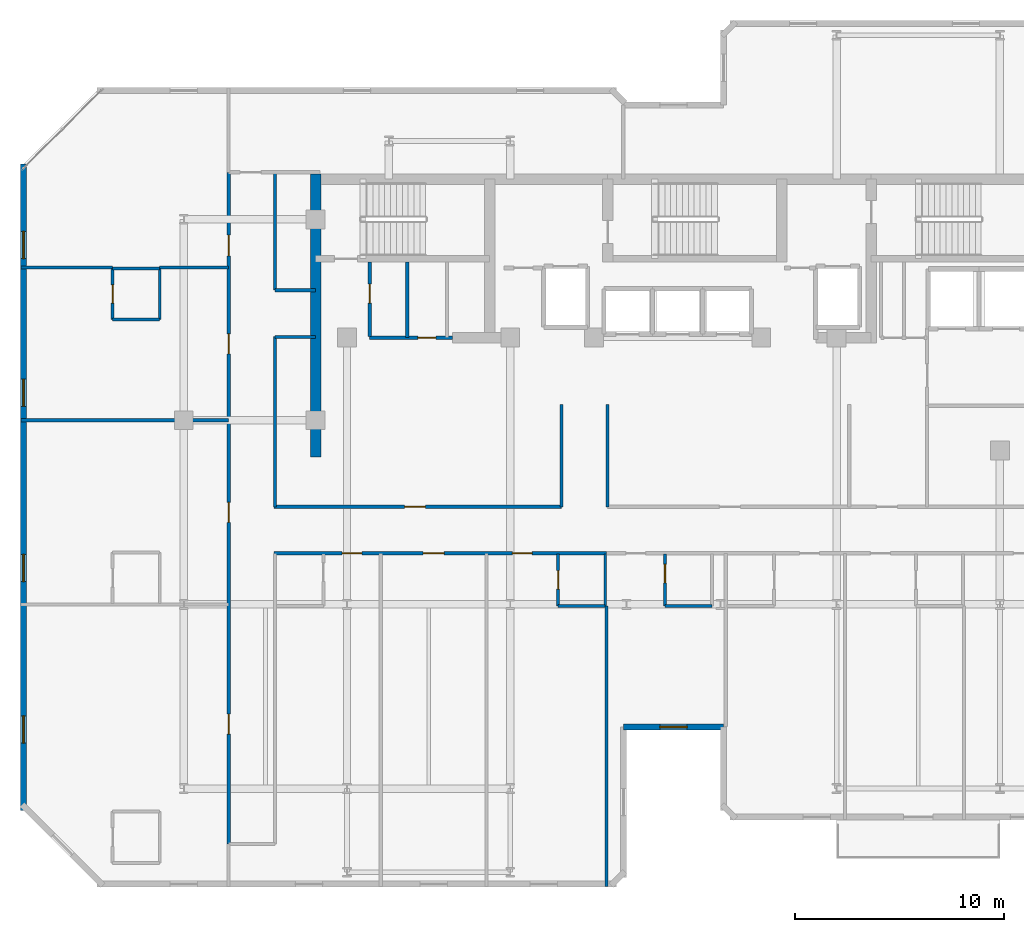
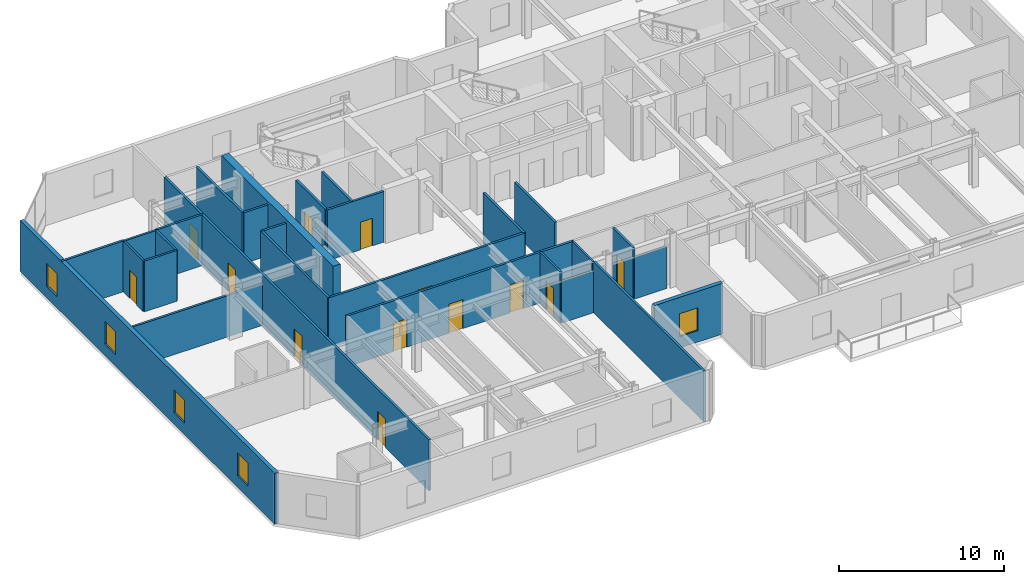
# One storey, part 4 of 11: 28 walls, 13 doors, 5 windows, 18 openings.
"""IFC4 building model written with IfcOpenShell, lengths in metres."""

from ifc_helpers import new_model, si_unit, direction, frame, frame_2d, origin, place, context, subcontext, project, spatial, rectangle, extrude, material, layer, layer_set, type_object, element, fill, save


model = new_model("IFC4")

# Units and contexts
model_context = context("Model", 3, precision=1e-05, world=origin(), true_north=direction((0.0, 1.0)))
body_context = subcontext(model_context, "Body", "Model", "MODEL_VIEW")
ifc_project = project(units=[si_unit("LENGTHUNIT", "METRE"), si_unit("AREAUNIT", "SQUARE_METRE"), si_unit("VOLUMEUNIT", "CUBIC_METRE"), si_unit("PLANEANGLEUNIT", "RADIAN"), si_unit("MASSUNIT", "GRAM", prefix="KILO")], contexts=[model_context])

# Site, building, storey
site_placement = place(None, origin())
site = spatial("IfcSite", under=ifc_project, at=site_placement, CompositionType="ELEMENT")
building_placement = place(site_placement, origin())
building = spatial("IfcBuilding", under=site, at=building_placement, Name="Kestravale Grand Hotel", CompositionType="ELEMENT")
storey_placement = place(building_placement, frame((0.0, 0.0, 289.39990234375)))
storey = spatial("IfcBuildingStorey", under=building, at=storey_placement, Name="L72", CompositionType="ELEMENT", Elevation=289.39990234375)

# Wall
ifc_material_1 = material(Name="Concrete f'c 50 MPa", Category="concrete")
ifc_layer_1 = layer(ifc_material_1, 0.5)
ifc_layer_set_1 = layer_set([ifc_layer_1], Name="EW-CORE-500")
wall_type_1 = type_object("IfcWallType", Name="EW-CORE-500", PredefinedType="SHEAR", material=ifc_layer_set_1)
wall_1_placement = place(storey_placement, frame((21.89990234375, 27.050048828125, 0.0), z_axis=(0.0, 0.0, 1.0), x_axis=(0.0, 1.0, 0.0)))
element("IfcWall", 1, at=wall_1_placement, inside=storey, type_object=wall_type_1, Name="L72 core shear wall W1", PredefinedType="SHEAR", context=body_context, shape_type="SweptSolid", body=[
    extrude(rectangle(XDim=13.52001953125, YDim=0.5, at=frame_2d((6.760009765625, 0.0))), origin(), (0.0, 0.0, 1.0), 4.0),
])

# Wall, opening, window
ifc_material_2 = material(Name="Precast concrete f'c 45 MPa", Category="concrete")
ifc_layer_2 = layer(ifc_material_2, 0.280029296875)
ifc_layer_set_2 = layer_set([ifc_layer_2], Name="EW-PREC-280")
wall_type_2 = type_object("IfcWallType", Name="EW-PREC-280", PredefinedType="SOLIDWALL", material=ifc_layer_set_2)
wall_2_placement = place(storey_placement, frame((36.610107421875, 14.139892578125, 0.0), z_axis=(0.0, 0.0, 1.0), x_axis=(1.0, 0.0, 0.0)))
wall_2 = element("IfcWall", 2, at=wall_2_placement, inside=storey, type_object=wall_type_2, Name="L72 fluted precast facade wall 4", PredefinedType="SOLIDWALL", context=body_context, shape_type="SweptSolid", body=[
    extrude(rectangle(XDim=4.77978515625, YDim=0.280029296875, at=frame_2d((2.389892578125, 0.0))), origin(), (0.0, 0.0, 1.0), 3.760009765625),
])
opening_1_placement = place(wall_2_placement, frame((1.739990234375, 0.0, 0.85009765625)))
opening_1 = element("IfcOpeningElement", 3, at=opening_1_placement, cuts=wall_2, Name="Opening W-GUEST-1300", PredefinedType="OPENING", context=body_context, shape_type="SweptSolid", body=[
    extrude(rectangle(XDim=1.300048828125, YDim=1.699951171875, at=frame_2d((0.64990234375, 0.85009765625))), frame((0.0, 0.14990234375, 0.0), z_axis=(0.0, -1.0, 0.0), x_axis=(1.0, 0.0, 0.0)), (0.0, 0.0, 1.0), 0.300048828125),
])
ifc_material_3 = material(Name="Insulated low-E double glazing in aluminium frame", Category="aluminium")
window_type = type_object("IfcWindowType", Name="W-GUEST-1300", PartitioningType="SINGLE_PANEL", PredefinedType="WINDOW", material=ifc_material_3)
window_1_placement = place(opening_1_placement, origin())
window_1 = element("IfcWindow", 4, at=window_1_placement, inside=storey, type_object=window_type, Name="L72 exterior window 4.1", OverallHeight=1.699951171875, OverallWidth=1.300048828125, PartitioningType="SINGLE_PANEL", PredefinedType="WINDOW", context=body_context, shape_type="SweptSolid", body=[
    extrude(rectangle(XDim=1.300048828125, YDim=1.699951171875, at=frame_2d((0.64990234375, 0.85009765625))), frame((0.0, 0.030029296875, 0.0), z_axis=(0.0, -1.0, 0.0), x_axis=(1.0, 0.0, 0.0)), (0.0, 0.0, 1.0), 0.06005859375),
])
fill(opening_1, window_1)

# Wall, openings, windows
wall_3_placement = place(storey_placement, frame((7.93994140625, 41.0400390625, 0.0), z_axis=(0.0, 0.0, 1.0), x_axis=(0.0, -1.0, 0.0)))
wall_3 = element("IfcWall", 5, at=wall_3_placement, inside=storey, type_object=wall_type_2, Name="L72 fluted precast facade wall 19", PredefinedType="SOLIDWALL", context=body_context, shape_type="SweptSolid", body=[
    extrude(rectangle(XDim=30.880126953125, YDim=0.280029296875, at=frame_2d((15.43994140625, 0.0))), origin(), (0.0, 0.0, 1.0), 3.760009765625),
])
opening_2_placement = place(wall_3_placement, frame((3.2099609375, 0.0, 0.85009765625)))
opening_2 = element("IfcOpeningElement", 6, at=opening_2_placement, cuts=wall_3, Name="Opening W-GUEST-1300", PredefinedType="OPENING", context=body_context, shape_type="SweptSolid", body=[
    extrude(rectangle(XDim=1.300048828125, YDim=1.699951171875, at=frame_2d((0.64990234375, 0.85009765625))), frame((0.0, 0.14990234375, 0.0), z_axis=(0.0, -1.0, 0.0), x_axis=(1.0, 0.0, 0.0)), (0.0, 0.0, 1.0), 0.300048828125),
])
opening_3_placement = place(wall_3_placement, frame((10.280029296875, 0.0, 0.85009765625)))
opening_3 = element("IfcOpeningElement", 7, at=opening_3_placement, cuts=wall_3, Name="Opening W-GUEST-1300", PredefinedType="OPENING", context=body_context, shape_type="SweptSolid", body=[
    extrude(rectangle(XDim=1.300048828125, YDim=1.699951171875, at=frame_2d((0.64990234375, 0.85009765625))), frame((0.0, 0.14990234375, 0.0), z_axis=(0.0, -1.0, 0.0), x_axis=(1.0, 0.0, 0.0)), (0.0, 0.0, 1.0), 0.300048828125),
])
opening_4_placement = place(wall_3_placement, frame((18.64990234375, 0.0, 0.85009765625)))
opening_4 = element("IfcOpeningElement", 8, at=opening_4_placement, cuts=wall_3, Name="Opening W-GUEST-1300", PredefinedType="OPENING", context=body_context, shape_type="SweptSolid", body=[
    extrude(rectangle(XDim=1.300048828125, YDim=1.699951171875, at=frame_2d((0.64990234375, 0.85009765625))), frame((0.0, 0.14990234375, 0.0), z_axis=(0.0, -1.0, 0.0), x_axis=(1.0, 0.0, 0.0)), (0.0, 0.0, 1.0), 0.300048828125),
])
opening_5_placement = place(wall_3_placement, frame((26.3701171875, 0.0, 0.85009765625)))
opening_5 = element("IfcOpeningElement", 9, at=opening_5_placement, cuts=wall_3, Name="Opening W-GUEST-1300", PredefinedType="OPENING", context=body_context, shape_type="SweptSolid", body=[
    extrude(rectangle(XDim=1.300048828125, YDim=1.699951171875, at=frame_2d((0.64990234375, 0.85009765625))), frame((0.0, 0.14990234375, 0.0), z_axis=(0.0, -1.0, 0.0), x_axis=(1.0, 0.0, 0.0)), (0.0, 0.0, 1.0), 0.300048828125),
])
window_2_placement = place(opening_2_placement, origin())
window_2 = element("IfcWindow", 10, at=window_2_placement, inside=storey, type_object=window_type, Name="L72 exterior window 19.1", OverallHeight=1.699951171875, OverallWidth=1.300048828125, PartitioningType="SINGLE_PANEL", PredefinedType="WINDOW", context=body_context, shape_type="SweptSolid", body=[
    extrude(rectangle(XDim=1.300048828125, YDim=1.699951171875, at=frame_2d((0.64990234375, 0.85009765625))), frame((0.0, 0.030029296875, 0.0), z_axis=(0.0, -1.0, 0.0), x_axis=(1.0, 0.0, 0.0)), (0.0, 0.0, 1.0), 0.06005859375),
])
fill(opening_2, window_2)
window_3_placement = place(opening_3_placement, origin())
window_3 = element("IfcWindow", 11, at=window_3_placement, inside=storey, type_object=window_type, Name="L72 exterior window 19.2", OverallHeight=1.699951171875, OverallWidth=1.300048828125, PartitioningType="SINGLE_PANEL", PredefinedType="WINDOW", context=body_context, shape_type="SweptSolid", body=[
    extrude(rectangle(XDim=1.300048828125, YDim=1.699951171875, at=frame_2d((0.64990234375, 0.85009765625))), frame((0.0, 0.030029296875, 0.0), z_axis=(0.0, -1.0, 0.0), x_axis=(1.0, 0.0, 0.0)), (0.0, 0.0, 1.0), 0.06005859375),
])
fill(opening_3, window_3)
window_4_placement = place(opening_4_placement, origin())
window_4 = element("IfcWindow", 12, at=window_4_placement, inside=storey, type_object=window_type, Name="L72 exterior window 19.3", OverallHeight=1.699951171875, OverallWidth=1.300048828125, PartitioningType="SINGLE_PANEL", PredefinedType="WINDOW", context=body_context, shape_type="SweptSolid", body=[
    extrude(rectangle(XDim=1.300048828125, YDim=1.699951171875, at=frame_2d((0.64990234375, 0.85009765625))), frame((0.0, 0.030029296875, 0.0), z_axis=(0.0, -1.0, 0.0), x_axis=(1.0, 0.0, 0.0)), (0.0, 0.0, 1.0), 0.06005859375),
])
fill(opening_4, window_4)
window_5_placement = place(opening_5_placement, origin())
window_5 = element("IfcWindow", 13, at=window_5_placement, inside=storey, type_object=window_type, Name="L72 exterior window 19.4", OverallHeight=1.699951171875, OverallWidth=1.300048828125, PartitioningType="SINGLE_PANEL", PredefinedType="WINDOW", context=body_context, shape_type="SweptSolid", body=[
    extrude(rectangle(XDim=1.300048828125, YDim=1.699951171875, at=frame_2d((0.64990234375, 0.85009765625))), frame((0.0, 0.030029296875, 0.0), z_axis=(0.0, -1.0, 0.0), x_axis=(1.0, 0.0, 0.0)), (0.0, 0.0, 1.0), 0.06005859375),
])
fill(opening_5, window_5)

# Wall, opening, door
ifc_material_4 = material(Name="Acoustic fire-rated gypsum board partition", Category="other")
ifc_layer_3 = layer(ifc_material_4, 0.159912109375)
ifc_layer_set_3 = layer_set([ifc_layer_3], Name="IW-CORR-160")
wall_type_3 = type_object("IfcWallType", Name="IW-CORR-160", PredefinedType="PARTITIONING", material=ifc_layer_set_3)
wall_4_placement = place(storey_placement, frame((24.47998046875, 32.800048828125, 0.0), z_axis=(0.0, 0.0, 1.0), x_axis=(0.0, 1.0, 0.0)))
wall_4 = element("IfcWall", 14, at=wall_4_placement, inside=storey, type_object=wall_type_3, Name="L72 west core vestibule wall", PredefinedType="PARTITIONING", context=body_context, shape_type="SweptSolid", body=[
    extrude(rectangle(XDim=3.570068359375, YDim=0.159912109375, at=frame_2d((1.78515625, 0.0))), origin(), (0.0, 0.0, 1.0), 3.760009765625),
])
opening_6_placement = place(wall_4_placement, frame((1.603515625, 0.0, 0.0)))
opening_6 = element("IfcOpeningElement", 15, at=opening_6_placement, cuts=wall_4, Name="Opening D-SH-900", PredefinedType="OPENING", context=body_context, shape_type="SweptSolid", body=[
    extrude(rectangle(XDim=0.89990234375, YDim=2.10009765625, at=frame_2d((0.449951171875, 1.050048828125))), frame((0.0, 0.08984375, 0.0), z_axis=(0.0, -1.0, 0.0), x_axis=(1.0, 0.0, 0.0)), (0.0, 0.0, 1.0), 0.179931640625),
])
ifc_material_5 = material(Name="Galvanised 90-minute shaft and service fire door", Category="steel")
door_type_1 = type_object("IfcDoorType", Name="D-SH-900", OperationType="NOTDEFINED", PredefinedType="DOOR", material=ifc_material_5)
door_1_placement = place(opening_6_placement, origin())
door_1 = element("IfcDoor", 16, at=door_1_placement, inside=storey, type_object=door_type_1, Name="D-L72-HK", OperationType="SINGLE_SWING_RIGHT", OverallHeight=2.10009765625, OverallWidth=0.89990234375, PredefinedType="DOOR", context=body_context, shape_type="SweptSolid", body=[
    extrude(rectangle(XDim=0.89990234375, YDim=2.10009765625, at=frame_2d((0.449951171875, 1.050048828125))), frame((0.0, 0.02490234375, 0.0), z_axis=(0.0, -1.0, 0.0), x_axis=(1.0, 0.0, 0.0)), (0.0, 0.0, 1.0), 0.050048828125),
])
fill(opening_6, door_1)

wall_5_placement = place(storey_placement, frame((24.47998046875, 32.75, 0.0), z_axis=(0.0, 0.0, 1.0), x_axis=(1.0, 0.0, 0.0)))
wall_5 = element("IfcWall", 17, at=wall_5_placement, inside=storey, type_object=wall_type_3, Name="W-L72-CWS", PredefinedType="PARTITIONING", context=body_context, shape_type="SweptSolid", body=[
    extrude(rectangle(XDim=3.969970703125, YDim=0.159912109375, at=frame_2d((1.98486328125, 0.0))), origin(), (0.0, 0.0, 1.0), 3.760009765625),
])
opening_7_placement = place(wall_5_placement, frame((2.31005859375, 0.0, 0.0)))
opening_7 = element("IfcOpeningElement", 18, at=opening_7_placement, cuts=wall_5, Name="Opening D-SH-860", PredefinedType="OPENING", context=body_context, shape_type="SweptSolid", body=[
    extrude(rectangle(XDim=0.860107421875, YDim=2.050048828125, at=frame_2d((0.43017578125, 1.02490234375))), frame((0.0, 0.08984375, 0.0), z_axis=(0.0, -1.0, 0.0), x_axis=(1.0, 0.0, 0.0)), (0.0, 0.0, 1.0), 0.179931640625),
])
ifc_material_6 = material(Name="Galvanised 90-minute riser fire door", Category="steel")
door_type_2 = type_object("IfcDoorType", Name="D-SH-860", OperationType="NOTDEFINED", PredefinedType="DOOR", material=ifc_material_6)
door_2_placement = place(opening_7_placement, origin())
door_2 = element("IfcDoor", 19, at=door_2_placement, inside=storey, type_object=door_type_2, Name="D-L72-IDF", OperationType="SINGLE_SWING_RIGHT", OverallHeight=2.050048828125, OverallWidth=0.860107421875, PredefinedType="DOOR", context=body_context, shape_type="SweptSolid", body=[
    extrude(rectangle(XDim=0.860107421875, YDim=2.050048828125, at=frame_2d((0.43017578125, 1.02490234375))), frame((0.0, 0.02490234375, 0.0), z_axis=(0.0, -1.0, 0.0), x_axis=(1.0, 0.0, 0.0)), (0.0, 0.0, 1.0), 0.050048828125),
])
fill(opening_7, door_2)

wall_6_placement = place(storey_placement, frame((19.89990234375, 24.659912109375, 0.0), z_axis=(0.0, 0.0, 1.0), x_axis=(1.0, 0.0, 0.0)))
wall_6 = element("IfcWall", 20, at=wall_6_placement, inside=storey, type_object=wall_type_3, Name="W-L72-CW-N", PredefinedType="PARTITIONING", context=body_context, shape_type="SweptSolid", body=[
    extrude(rectangle(XDim=13.75, YDim=0.159912109375, at=frame_2d((6.875, 0.0))), origin(), (0.0, 0.0, 1.0), 3.760009765625),
])
opening_8_placement = place(wall_6_placement, frame((6.25, 0.0, 0.0)))
opening_8 = element("IfcOpeningElement", 21, at=opening_8_placement, cuts=wall_6, Name="Opening D-GUEST-1000", PredefinedType="OPENING", context=body_context, shape_type="SweptSolid", body=[
    extrude(rectangle(XDim=1.0, YDim=2.14990234375, at=frame_2d((0.5, 1.074951171875))), frame((0.0, 0.08984375, 0.0), z_axis=(0.0, -1.0, 0.0), x_axis=(1.0, 0.0, 0.0)), (0.0, 0.0, 1.0), 0.179931640625),
])
ifc_material_7 = material(Name="Accessible walnut veneer hotel entrance fire door", Category="wood")
door_type_3 = type_object("IfcDoorType", Name="D-GUEST-1000", OperationType="NOTDEFINED", PredefinedType="DOOR", material=ifc_material_7)
door_3_placement = place(opening_8_placement, origin())
door_3 = element("IfcDoor", 22, at=door_3_placement, inside=storey, type_object=door_type_3, Name="D-L72-RECL-W", OperationType="SINGLE_SWING_LEFT", OverallHeight=2.14990234375, OverallWidth=1.0, PredefinedType="DOOR", context=body_context, shape_type="SweptSolid", body=[
    extrude(rectangle(XDim=1.0, YDim=2.14990234375, at=frame_2d((0.5, 1.074951171875))), frame((0.0, 0.02490234375, 0.0), z_axis=(0.0, -1.0, 0.0), x_axis=(1.0, 0.0, 0.0)), (0.0, 0.0, 1.0), 0.050048828125),
])
fill(opening_8, door_3)

# Walls
for number, where, z_axis, x_axis, name in (
    (23, (33.64990234375, 24.659912109375, 0.0), (0.0, 0.0, 1.0), (0.0, 1.0, 0.0), "W-L72-TRUNK-W"),
    (24, (35.85009765625, 24.659912109375, 0.0), (0.0, 0.0, 1.0), (0.0, 1.0, 0.0), "W-L72-TRUNK-E"),
):
    element("IfcWall", number, at=place(storey_placement, frame(where, z_axis=z_axis, x_axis=x_axis)), inside=storey, type_object=wall_type_3, Name=name, PredefinedType="PARTITIONING", context=body_context, shape_type="SweptSolid", body=[
        extrude(rectangle(XDim=4.89013671875, YDim=0.159912109375, at=frame_2d((2.445068359375, 0.0))), origin(), (0.0, 0.0, 1.0), 3.760009765625),
    ])

# Wall, openings, doors
wall_7_placement = place(storey_placement, frame((19.89990234375, 22.43994140625, 0.0), z_axis=(0.0, 0.0, 1.0), x_axis=(1.0, 0.0, 0.0)))
wall_7 = element("IfcWall", 25, at=wall_7_placement, inside=storey, type_object=wall_type_3, Name="W-L72-CW-S", PredefinedType="PARTITIONING", context=body_context, shape_type="SweptSolid", body=[
    extrude(rectangle(XDim=15.900146484375, YDim=0.159912109375, at=frame_2d((7.9501953125, 0.0))), origin(), (0.0, 0.0, 1.0), 3.760009765625),
])
opening_9_placement = place(wall_7_placement, frame((3.264892578125, 0.0, 0.0)))
opening_9 = element("IfcOpeningElement", 26, at=opening_9_placement, cuts=wall_7, Name="Opening D-GUEST-950", PredefinedType="OPENING", context=body_context, shape_type="SweptSolid", body=[
    extrude(rectangle(XDim=0.949951171875, YDim=2.10009765625, at=frame_2d((0.47509765625, 1.050048828125))), frame((0.0, 0.08984375, 0.0), z_axis=(0.0, -1.0, 0.0), x_axis=(1.0, 0.0, 0.0)), (0.0, 0.0, 1.0), 0.179931640625),
])
opening_10_placement = place(wall_7_placement, frame((7.135009765625, 0.0, 0.0)))
opening_10 = element("IfcOpeningElement", 27, at=opening_10_placement, cuts=wall_7, Name="Opening D-GUEST-1000", PredefinedType="OPENING", context=body_context, shape_type="SweptSolid", body=[
    extrude(rectangle(XDim=1.0, YDim=2.14990234375, at=frame_2d((0.5, 1.074951171875))), frame((0.0, 0.08984375, 0.0), z_axis=(0.0, -1.0, 0.0), x_axis=(1.0, 0.0, 0.0)), (0.0, 0.0, 1.0), 0.179931640625),
])
opening_11_placement = place(wall_7_placement, frame((11.39990234375, 0.0, 0.0)))
opening_11 = element("IfcOpeningElement", 28, at=opening_11_placement, cuts=wall_7, Name="Opening D-GUEST-950", PredefinedType="OPENING", context=body_context, shape_type="SweptSolid", body=[
    extrude(rectangle(XDim=0.949951171875, YDim=2.10009765625, at=frame_2d((0.47509765625, 1.050048828125))), frame((0.0, 0.08984375, 0.0), z_axis=(0.0, -1.0, 0.0), x_axis=(1.0, 0.0, 0.0)), (0.0, 0.0, 1.0), 0.179931640625),
])
door_4_placement = place(opening_10_placement, origin())
door_4 = element("IfcDoor", 29, at=door_4_placement, inside=storey, type_object=door_type_3, Name="D-L72-AMW", OperationType="SINGLE_SWING_RIGHT", OverallHeight=2.14990234375, OverallWidth=1.0, PredefinedType="DOOR", context=body_context, shape_type="SweptSolid", body=[
    extrude(rectangle(XDim=1.0, YDim=2.14990234375, at=frame_2d((0.5, 1.074951171875))), frame((0.0, 0.02490234375, 0.0), z_axis=(0.0, -1.0, 0.0), x_axis=(1.0, 0.0, 0.0)), (0.0, 0.0, 1.0), 0.050048828125),
])
fill(opening_10, door_4)
ifc_material_8 = material(Name="Walnut veneer hotel guestroom entrance fire door", Category="wood")
door_type_4 = type_object("IfcDoorType", Name="D-GUEST-950", OperationType="NOTDEFINED", PredefinedType="DOOR", material=ifc_material_8)
door_5_placement = place(opening_9_placement, origin())
door_5 = element("IfcDoor", 30, at=door_5_placement, inside=storey, type_object=door_type_4, Name="D-L72-U01-ENT", OperationType="SINGLE_SWING_LEFT", OverallHeight=2.10009765625, OverallWidth=0.949951171875, PredefinedType="DOOR", context=body_context, shape_type="SweptSolid", body=[
    extrude(rectangle(XDim=0.949951171875, YDim=2.10009765625, at=frame_2d((0.47509765625, 1.050048828125))), frame((0.0, 0.02490234375, 0.0), z_axis=(0.0, -1.0, 0.0), x_axis=(1.0, 0.0, 0.0)), (0.0, 0.0, 1.0), 0.050048828125),
])
fill(opening_9, door_5)
door_6_placement = place(opening_11_placement, origin())
door_6 = element("IfcDoor", 31, at=door_6_placement, inside=storey, type_object=door_type_4, Name="D-L72-U02-ENT", OperationType="SINGLE_SWING_RIGHT", OverallHeight=2.10009765625, OverallWidth=0.949951171875, PredefinedType="DOOR", context=body_context, shape_type="SweptSolid", body=[
    extrude(rectangle(XDim=0.949951171875, YDim=2.10009765625, at=frame_2d((0.47509765625, 1.050048828125))), frame((0.0, 0.02490234375, 0.0), z_axis=(0.0, -1.0, 0.0), x_axis=(1.0, 0.0, 0.0)), (0.0, 0.0, 1.0), 0.050048828125),
])
fill(opening_11, door_6)

wall_8_placement = place(storey_placement, frame((17.739990234375, 8.550048828125, 0.0), z_axis=(0.0, 0.0, 1.0), x_axis=(0.0, 1.0, 0.0)))
wall_8 = element("IfcWall", 32, at=wall_8_placement, inside=storey, type_object=wall_type_3, Name="W-L72-SW-W", PredefinedType="PARTITIONING", context=body_context, shape_type="SweptSolid", body=[
    extrude(rectangle(XDim=32.099853515625, YDim=0.159912109375, at=frame_2d((16.0498046875, 0.0))), origin(), (0.0, 0.0, 1.0), 3.760009765625),
])
opening_12_placement = place(wall_8_placement, frame((5.25, 0.0, 0.0)))
opening_12 = element("IfcOpeningElement", 33, at=opening_12_placement, cuts=wall_8, Name="Opening D-GUEST-950", PredefinedType="OPENING", context=body_context, shape_type="SweptSolid", body=[
    extrude(rectangle(XDim=0.949951171875, YDim=2.10009765625, at=frame_2d((0.47509765625, 1.050048828125))), frame((0.0, 0.08984375, 0.0), z_axis=(0.0, -1.0, 0.0), x_axis=(1.0, 0.0, 0.0)), (0.0, 0.0, 1.0), 0.179931640625),
])
opening_13_placement = place(wall_8_placement, frame((15.375, 0.0, 0.0)))
opening_13 = element("IfcOpeningElement", 34, at=opening_13_placement, cuts=wall_8, Name="Opening D-GUEST-950", PredefinedType="OPENING", context=body_context, shape_type="SweptSolid", body=[
    extrude(rectangle(XDim=0.949951171875, YDim=2.10009765625, at=frame_2d((0.47509765625, 1.050048828125))), frame((0.0, 0.08984375, 0.0), z_axis=(0.0, -1.0, 0.0), x_axis=(1.0, 0.0, 0.0)), (0.0, 0.0, 1.0), 0.179931640625),
])
opening_14_placement = place(wall_8_placement, frame((23.425048828125, 0.0, 0.0)))
opening_14 = element("IfcOpeningElement", 35, at=opening_14_placement, cuts=wall_8, Name="Opening D-GUEST-950", PredefinedType="OPENING", context=body_context, shape_type="SweptSolid", body=[
    extrude(rectangle(XDim=0.949951171875, YDim=2.10009765625, at=frame_2d((0.47509765625, 1.050048828125))), frame((0.0, 0.08984375, 0.0), z_axis=(0.0, -1.0, 0.0), x_axis=(1.0, 0.0, 0.0)), (0.0, 0.0, 1.0), 0.179931640625),
])
opening_15_placement = place(wall_8_placement, frame((28.10009765625, 0.0, 0.0)))
opening_15 = element("IfcOpeningElement", 36, at=opening_15_placement, cuts=wall_8, Name="Opening D-GUEST-1000", PredefinedType="OPENING", context=body_context, shape_type="SweptSolid", body=[
    extrude(rectangle(XDim=1.0, YDim=2.14990234375, at=frame_2d((0.5, 1.074951171875))), frame((0.0, 0.08984375, 0.0), z_axis=(0.0, -1.0, 0.0), x_axis=(1.0, 0.0, 0.0)), (0.0, 0.0, 1.0), 0.179931640625),
])
door_7_placement = place(opening_15_placement, origin())
door_7 = element("IfcDoor", 37, at=door_7_placement, inside=storey, type_object=door_type_3, Name="D-L72-AMWW", OperationType="SINGLE_SWING_RIGHT", OverallHeight=2.14990234375, OverallWidth=1.0, PredefinedType="DOOR", context=body_context, shape_type="SweptSolid", body=[
    extrude(rectangle(XDim=1.0, YDim=2.14990234375, at=frame_2d((0.5, 1.074951171875))), frame((0.0, 0.02490234375, 0.0), z_axis=(0.0, -1.0, 0.0), x_axis=(1.0, 0.0, 0.0)), (0.0, 0.0, 1.0), 0.050048828125),
])
fill(opening_15, door_7)
door_8_placement = place(opening_12_placement, origin())
door_8 = element("IfcDoor", 38, at=door_8_placement, inside=storey, type_object=door_type_4, Name="D-L72-U06-ENT", OperationType="SINGLE_SWING_LEFT", OverallHeight=2.10009765625, OverallWidth=0.949951171875, PredefinedType="DOOR", context=body_context, shape_type="SweptSolid", body=[
    extrude(rectangle(XDim=0.949951171875, YDim=2.10009765625, at=frame_2d((0.47509765625, 1.050048828125))), frame((0.0, 0.02490234375, 0.0), z_axis=(0.0, -1.0, 0.0), x_axis=(1.0, 0.0, 0.0)), (0.0, 0.0, 1.0), 0.050048828125),
])
fill(opening_12, door_8)
door_9_placement = place(opening_13_placement, origin())
door_9 = element("IfcDoor", 39, at=door_9_placement, inside=storey, type_object=door_type_4, Name="D-L72-U07-ENT", OperationType="SINGLE_SWING_LEFT", OverallHeight=2.10009765625, OverallWidth=0.949951171875, PredefinedType="DOOR", context=body_context, shape_type="SweptSolid", body=[
    extrude(rectangle(XDim=0.949951171875, YDim=2.10009765625, at=frame_2d((0.47509765625, 1.050048828125))), frame((0.0, 0.02490234375, 0.0), z_axis=(0.0, -1.0, 0.0), x_axis=(1.0, 0.0, 0.0)), (0.0, 0.0, 1.0), 0.050048828125),
])
fill(opening_13, door_9)
door_10_placement = place(opening_14_placement, origin())
door_10 = element("IfcDoor", 40, at=door_10_placement, inside=storey, type_object=door_type_4, Name="D-L72-U08-ENT", OperationType="SINGLE_SWING_LEFT", OverallHeight=2.10009765625, OverallWidth=0.949951171875, PredefinedType="DOOR", context=body_context, shape_type="SweptSolid", body=[
    extrude(rectangle(XDim=0.949951171875, YDim=2.10009765625, at=frame_2d((0.47509765625, 1.050048828125))), frame((0.0, 0.02490234375, 0.0), z_axis=(0.0, -1.0, 0.0), x_axis=(1.0, 0.0, 0.0)), (0.0, 0.0, 1.0), 0.050048828125),
])
fill(opening_14, door_10)

# Walls
wall_9_placement = place(storey_placement, frame((19.9599609375, 35.02001953125, 0.0), z_axis=(0.0, 0.0, 1.0), x_axis=(0.0, 1.0, 0.0)))
element("IfcWall", 41, at=wall_9_placement, inside=storey, type_object=wall_type_3, Name="W-L72-SW-EN", PredefinedType="PARTITIONING", context=body_context, shape_type="SweptSolid", body=[
    extrude(rectangle(XDim=5.6298828125, YDim=0.159912109375, at=frame_2d((2.81494140625, 0.0))), origin(), (0.0, 0.0, 1.0), 3.760009765625),
])
for number, where, z_axis, x_axis, name in (
    (42, (19.9599609375, 35.02001953125, 0.0), (0.0, 0.0, 1.0), (1.0, 0.0, 0.0), "W-L72-SW-CN"),
    (43, (19.9599609375, 32.780029296875, 0.0), (0.0, 0.0, 1.0), (1.0, 0.0, 0.0), "W-L72-SW-CS"),
):
    element("IfcWall", number, at=place(storey_placement, frame(where, z_axis=z_axis, x_axis=x_axis)), inside=storey, type_object=wall_type_3, Name=name, PredefinedType="PARTITIONING", context=body_context, shape_type="SweptSolid", body=[
        extrude(rectangle(XDim=1.93994140625, YDim=0.159912109375, at=frame_2d((0.969970703125, 0.0))), origin(), (0.0, 0.0, 1.0), 3.760009765625),
    ])

# Wall, opening, door
ifc_material_9 = material(Name="Moisture-resistant tile-backer plumbing chase wall", Category="other")
ifc_layer_4 = layer(ifc_material_9, 0.139892578125)
ifc_layer_set_4 = layer_set([ifc_layer_4], Name="IW-PLB-140")
wall_type_4 = type_object("IfcWallType", Name="IW-PLB-140", PredefinedType="PLUMBINGWALL", material=ifc_layer_set_4)
wall_10_placement = place(storey_placement, frame((33.489990234375, 19.929931640625, 0.0), z_axis=(0.0, 0.0, 1.0), x_axis=(0.0, 1.0, 0.0)))
wall_10 = element("IfcWall", 44, at=wall_10_placement, inside=storey, type_object=wall_type_4, Name="W-L72-U02-BW", PredefinedType="PLUMBINGWALL", context=body_context, shape_type="SweptSolid", body=[
    extrude(rectangle(XDim=2.489990234375, YDim=0.139892578125, at=frame_2d((1.2451171875, 0.0))), origin(), (0.0, 0.0, 1.0), 3.760009765625),
])
opening_16_placement = place(wall_10_placement, frame((0.804931640625, 0.0, 0.0)))
opening_16 = element("IfcOpeningElement", 45, at=opening_16_placement, cuts=wall_10, Name="Opening D-BATH-880", PredefinedType="OPENING", context=body_context, shape_type="SweptSolid", body=[
    extrude(rectangle(XDim=0.8798828125, YDim=2.050048828125, at=frame_2d((0.43994140625, 1.02490234375))), frame((0.0, 0.079833984375, 0.0), z_axis=(0.0, -1.0, 0.0), x_axis=(1.0, 0.0, 0.0)), (0.0, 0.0, 1.0), 0.159912109375),
])
ifc_material_10 = material(Name="Moisture-sealed walnut en-suite bathroom door", Category="wood")
door_type_5 = type_object("IfcDoorType", Name="D-BATH-880", OperationType="NOTDEFINED", PredefinedType="DOOR", material=ifc_material_10)
door_11_placement = place(opening_16_placement, origin())
door_11 = element("IfcDoor", 46, at=door_11_placement, inside=storey, type_object=door_type_5, Name="D-L72-U02-BATH", OperationType="SINGLE_SWING_LEFT", OverallHeight=2.050048828125, OverallWidth=0.8798828125, PredefinedType="DOOR", context=body_context, shape_type="SweptSolid", body=[
    extrude(rectangle(XDim=0.8798828125, YDim=2.050048828125, at=frame_2d((0.43994140625, 1.02490234375))), frame((0.0, 0.02490234375, 0.0), z_axis=(0.0, -1.0, 0.0), x_axis=(1.0, 0.0, 0.0)), (0.0, 0.0, 1.0), 0.050048828125),
])
fill(opening_16, door_11)

# Walls
wall_11_placement = place(storey_placement, frame((35.739990234375, 19.929931640625, 0.0), z_axis=(0.0, 0.0, 1.0), x_axis=(0.0, 1.0, 0.0)))
element("IfcWall", 47, at=wall_11_placement, inside=storey, type_object=wall_type_4, Name="W-L72-U02-BE", PredefinedType="PLUMBINGWALL", context=body_context, shape_type="SweptSolid", body=[
    extrude(rectangle(XDim=2.489990234375, YDim=0.139892578125, at=frame_2d((1.2451171875, 0.0))), origin(), (0.0, 0.0, 1.0), 3.760009765625),
])
wall_12_placement = place(storey_placement, frame((33.489990234375, 19.929931640625, 0.0), z_axis=(0.0, 0.0, 1.0), x_axis=(1.0, 0.0, 0.0)))
element("IfcWall", 48, at=wall_12_placement, inside=storey, type_object=wall_type_4, Name="W-L72-U02-BS", PredefinedType="PLUMBINGWALL", context=body_context, shape_type="SweptSolid", body=[
    extrude(rectangle(XDim=2.25, YDim=0.139892578125, at=frame_2d((1.125, 0.0))), origin(), (0.0, 0.0, 1.0), 3.064208984375),
])

# Wall, opening, door
wall_13_placement = place(storey_placement, frame((38.597412109375, 19.929931640625, 0.0), z_axis=(0.0, 0.0, 1.0), x_axis=(0.0, 1.0, 0.0)))
wall_13 = element("IfcWall", 49, at=wall_13_placement, inside=storey, type_object=wall_type_4, Name="W-L72-U03-BW", PredefinedType="PLUMBINGWALL", context=body_context, shape_type="SweptSolid", body=[
    extrude(rectangle(XDim=2.489990234375, YDim=0.139892578125, at=frame_2d((1.2451171875, 0.0))), origin(), (0.0, 0.0, 1.0), 3.760009765625),
])
opening_17_placement = place(wall_13_placement, frame((1.1015625, 0.0, 0.0)))
opening_17 = element("IfcOpeningElement", 50, at=opening_17_placement, cuts=wall_13, Name="Opening D-BATH-880", PredefinedType="OPENING", context=body_context, shape_type="SweptSolid", body=[
    extrude(rectangle(XDim=0.8798828125, YDim=2.050048828125, at=frame_2d((0.43994140625, 1.02490234375))), frame((0.0, 0.079833984375, 0.0), z_axis=(0.0, -1.0, 0.0), x_axis=(1.0, 0.0, 0.0)), (0.0, 0.0, 1.0), 0.159912109375),
])
door_12_placement = place(opening_17_placement, origin())
door_12 = element("IfcDoor", 51, at=door_12_placement, inside=storey, type_object=door_type_5, Name="D-L72-U03-BATH", OperationType="SINGLE_SWING_LEFT", OverallHeight=2.050048828125, OverallWidth=0.8798828125, PredefinedType="DOOR", context=body_context, shape_type="SweptSolid", body=[
    extrude(rectangle(XDim=0.8798828125, YDim=2.050048828125, at=frame_2d((0.43994140625, 1.02490234375))), frame((0.0, 0.02490234375, 0.0), z_axis=(0.0, -1.0, 0.0), x_axis=(1.0, 0.0, 0.0)), (0.0, 0.0, 1.0), 0.050048828125),
])
fill(opening_17, door_12)

# Wall
wall_14_placement = place(storey_placement, frame((38.597412109375, 19.929931640625, 0.0), z_axis=(0.0, 0.0, 1.0), x_axis=(1.0, 0.0, 0.0)))
element("IfcWall", 52, at=wall_14_placement, inside=storey, type_object=wall_type_4, Name="W-L72-U03-BS", PredefinedType="PLUMBINGWALL", context=body_context, shape_type="SweptSolid", body=[
    extrude(rectangle(XDim=2.25, YDim=0.139892578125, at=frame_2d((1.125, 0.0))), origin(), (0.0, 0.0, 1.0), 3.064208984375),
])

# Wall, opening, door
wall_15_placement = place(storey_placement, frame((12.199951171875, 33.610107421875, 0.0), z_axis=(0.0, 0.0, 1.0), x_axis=(0.0, 1.0, 0.0)))
wall_15 = element("IfcWall", 53, at=wall_15_placement, inside=storey, type_object=wall_type_4, Name="W-L72-U08-BW", PredefinedType="PLUMBINGWALL", context=body_context, shape_type="SweptSolid", body=[
    extrude(rectangle(XDim=2.449951171875, YDim=0.139892578125, at=frame_2d((1.22509765625, 0.0))), origin(), (0.0, 0.0, 1.0), 3.760009765625),
])
opening_18_placement = place(wall_15_placement, frame((0.784912109375, 0.0, 0.0)))
opening_18 = element("IfcOpeningElement", 54, at=opening_18_placement, cuts=wall_15, Name="Opening D-BATH-880", PredefinedType="OPENING", context=body_context, shape_type="SweptSolid", body=[
    extrude(rectangle(XDim=0.8798828125, YDim=2.050048828125, at=frame_2d((0.43994140625, 1.02490234375))), frame((0.0, 0.079833984375, 0.0), z_axis=(0.0, -1.0, 0.0), x_axis=(1.0, 0.0, 0.0)), (0.0, 0.0, 1.0), 0.159912109375),
])
door_13_placement = place(opening_18_placement, origin())
door_13 = element("IfcDoor", 55, at=door_13_placement, inside=storey, type_object=door_type_5, Name="D-L72-U08-BATH", OperationType="SINGLE_SWING_RIGHT", OverallHeight=2.050048828125, OverallWidth=0.8798828125, PredefinedType="DOOR", context=body_context, shape_type="SweptSolid", body=[
    extrude(rectangle(XDim=0.8798828125, YDim=2.050048828125, at=frame_2d((0.43994140625, 1.02490234375))), frame((0.0, 0.02490234375, 0.0), z_axis=(0.0, -1.0, 0.0), x_axis=(1.0, 0.0, 0.0)), (0.0, 0.0, 1.0), 0.050048828125),
])
fill(opening_18, door_13)

# Walls
wall_16_placement = place(storey_placement, frame((14.449951171875, 33.610107421875, 0.0), z_axis=(0.0, 0.0, 1.0), x_axis=(0.0, 1.0, 0.0)))
element("IfcWall", 56, at=wall_16_placement, inside=storey, type_object=wall_type_4, Name="W-L72-U08-BE", PredefinedType="PLUMBINGWALL", context=body_context, shape_type="SweptSolid", body=[
    extrude(rectangle(XDim=2.449951171875, YDim=0.139892578125, at=frame_2d((1.22509765625, 0.0))), origin(), (0.0, 0.0, 1.0), 3.760009765625),
])
for number, where, z_axis, x_axis, name in (
    (57, (12.199951171875, 33.610107421875, 0.0), (0.0, 0.0, 1.0), (1.0, 0.0, 0.0), "W-L72-U08-BS"),
    (58, (12.199951171875, 36.06005859375, 0.0), (0.0, 0.0, 1.0), (1.0, 0.0, 0.0), "W-L72-U08-BN"),
):
    element("IfcWall", number, at=place(storey_placement, frame(where, z_axis=z_axis, x_axis=x_axis)), inside=storey, type_object=wall_type_4, Name=name, PredefinedType="PLUMBINGWALL", context=body_context, shape_type="SweptSolid", body=[
        extrude(rectangle(XDim=2.25, YDim=0.139892578125, at=frame_2d((1.125, 0.0))), origin(), (0.0, 0.0, 1.0), 3.760009765625),
    ])
ifc_material_11 = material(Name="Double-stud STC 52 acoustic demising partition", Category="other")
ifc_layer_5 = layer(ifc_material_11, 0.14990234375)
ifc_layer_set_5 = layer_set([ifc_layer_5], Name="IW-UNIT-150")
wall_type_5 = type_object("IfcWallType", Name="IW-UNIT-150", PredefinedType="PARTITIONING", material=ifc_layer_set_5)
wall_17_placement = place(storey_placement, frame((26.280029296875, 32.75, 0.0), z_axis=(0.0, 0.0, 1.0), x_axis=(0.0, 1.0, 0.0)))
element("IfcWall", 59, at=wall_17_placement, inside=storey, type_object=wall_type_5, Name="W-L72-CC1-1", PredefinedType="PARTITIONING", context=body_context, shape_type="SweptSolid", body=[
    extrude(rectangle(XDim=3.6201171875, YDim=0.14990234375, at=frame_2d((1.81005859375, 0.0))), origin(), (0.0, 0.0, 1.0), 3.760009765625),
])
wall_18_placement = place(storey_placement, frame((19.9599609375, 24.659912109375, 0.0), z_axis=(0.0, 0.0, 1.0), x_axis=(0.0, 1.0, 0.0)))
element("IfcWall", 60, at=wall_18_placement, inside=storey, type_object=wall_type_5, Name="W-L72-RCLW-W", PredefinedType="PARTITIONING", context=body_context, shape_type="SweptSolid", body=[
    extrude(rectangle(XDim=8.14013671875, YDim=0.14990234375, at=frame_2d((4.070068359375, 0.0))), origin(), (0.0, 0.0, 1.0), 3.760009765625),
])
wall_19_placement = place(storey_placement, frame((35.800048828125, 6.52001953125, 0.0), z_axis=(0.0, 0.0, 1.0), x_axis=(0.0, 1.0, 0.0)))
element("IfcWall", 61, at=wall_19_placement, inside=storey, type_object=wall_type_5, Name="W-L72-MID-S", PredefinedType="PARTITIONING", context=body_context, shape_type="SweptSolid", body=[
    extrude(rectangle(XDim=13.409912109375, YDim=0.14990234375, at=frame_2d((6.705078125, 0.0))), origin(), (0.0, 0.0, 1.0), 3.760009765625),
])
wall_20_placement = place(storey_placement, frame((7.820068359375, 28.800048828125, 0.0), z_axis=(0.0, 0.0, 1.0), x_axis=(1.0, 0.0, 0.0)))
element("IfcWall", 62, at=wall_20_placement, inside=storey, type_object=wall_type_5, Name="W-L72-WW-2", PredefinedType="PARTITIONING", context=body_context, shape_type="SweptSolid", body=[
    extrude(rectangle(XDim=9.919921875, YDim=0.14990234375, at=frame_2d((4.9599609375, 0.0))), origin(), (0.0, 0.0, 1.0), 3.064208984375),
])
wall_21_placement = place(storey_placement, frame((7.820068359375, 36.10009765625, 0.0), z_axis=(0.0, 0.0, 1.0), x_axis=(1.0, 0.0, 0.0)))
element("IfcWall", 63, at=wall_21_placement, inside=storey, type_object=wall_type_5, Name="W-L72-WW-3", PredefinedType="PARTITIONING", context=body_context, shape_type="SweptSolid", body=[
    extrude(rectangle(XDim=4.3798828125, YDim=0.14990234375, at=frame_2d((2.18994140625, 0.0))), origin(), (0.0, 0.0, 1.0), 3.760009765625),
])
wall_22_placement = place(storey_placement, frame((14.449951171875, 36.10009765625, 0.0), z_axis=(0.0, 0.0, 1.0), x_axis=(1.0, 0.0, 0.0)))
element("IfcWall", 64, at=wall_22_placement, inside=storey, type_object=wall_type_5, Name="W-L72-WW-3", PredefinedType="PARTITIONING", context=body_context, shape_type="SweptSolid", body=[
    extrude(rectangle(XDim=3.2900390625, YDim=0.14990234375, at=frame_2d((1.64501953125, 0.0))), origin(), (0.0, 0.0, 1.0), 3.760009765625),
])

save(model, "model.ifc")
